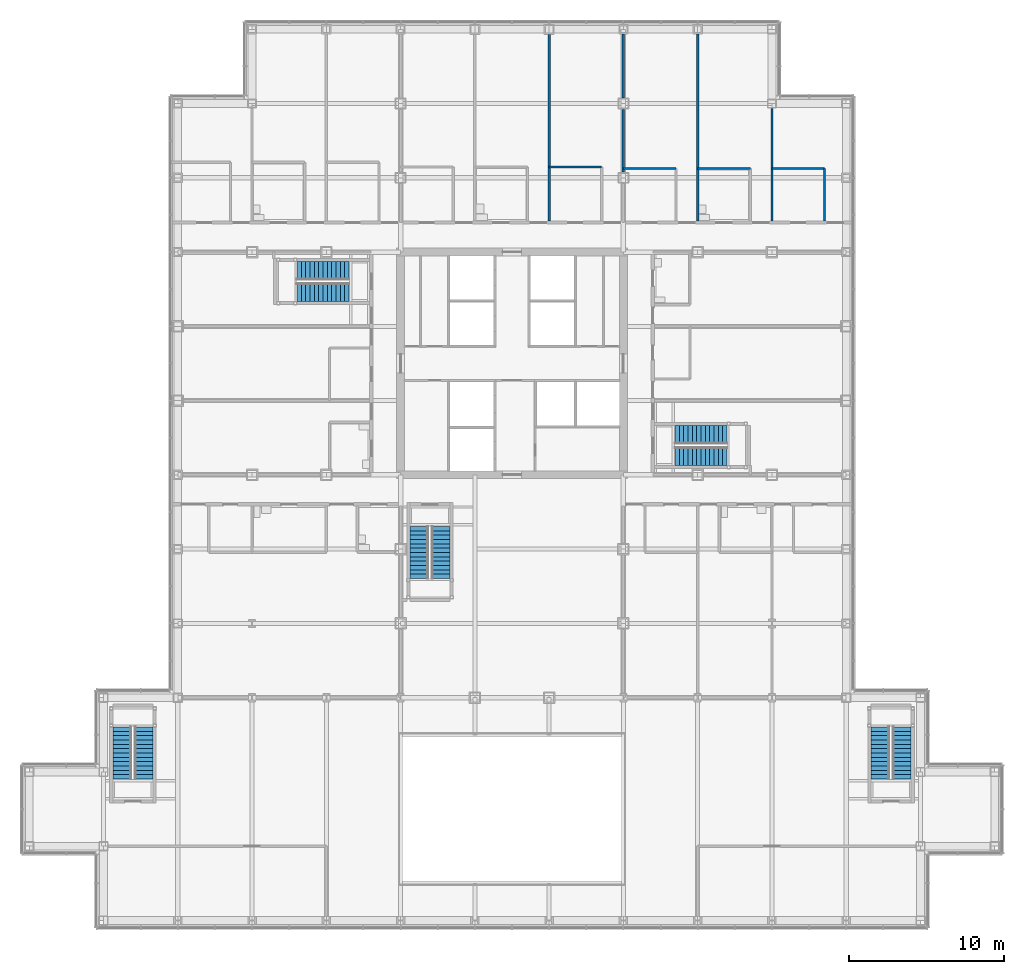
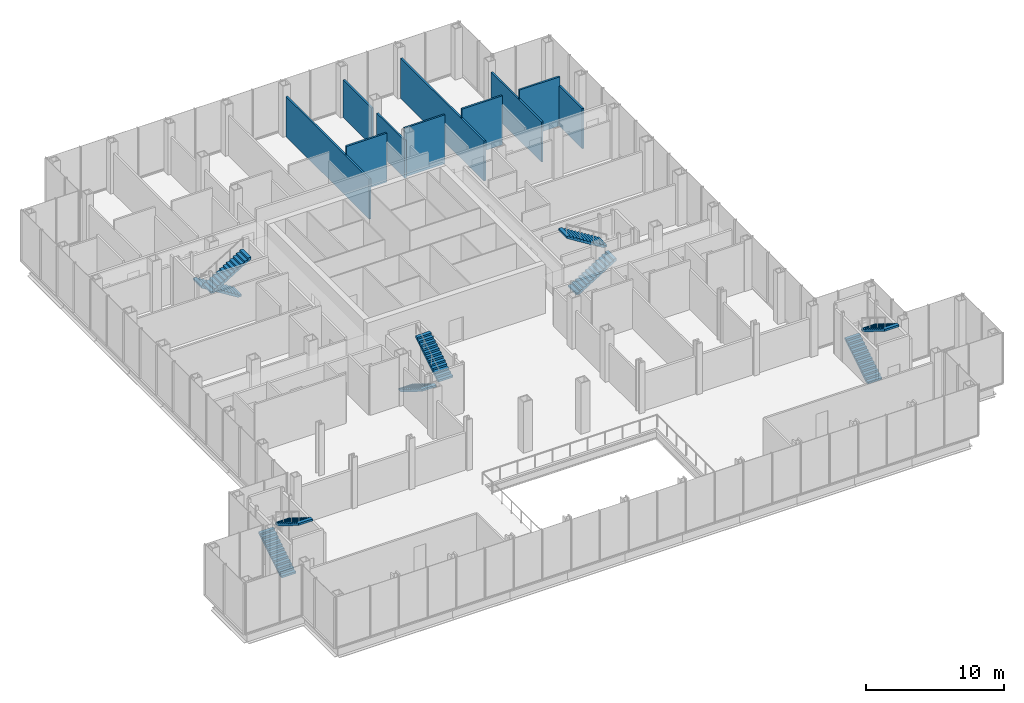
# One storey, part 23 of 25: 10 stair flights, 10 walls, 5 elements without a shape of their own.
"""IFC4 building model written with IfcOpenShell, lengths in metres."""

from ifc_helpers import new_model, si_unit, direction, frame, frame_2d, origin, place, context, subcontext, project, spatial, polyline, rectangle, outline, extrude, material, layer, layer_set, type_object, element, aggregate, save


model = new_model("IFC4")

# Units and contexts
model_context = context("Model", 3, precision=1e-05, world=origin(), true_north=direction((0.0, 1.0)))
body_context = subcontext(model_context, "Body", "Model", "MODEL_VIEW")
ifc_project = project(units=[si_unit("LENGTHUNIT", "METRE"), si_unit("AREAUNIT", "SQUARE_METRE"), si_unit("VOLUMEUNIT", "CUBIC_METRE"), si_unit("PLANEANGLEUNIT", "RADIAN"), si_unit("MASSUNIT", "GRAM", prefix="KILO")], contexts=[model_context])

# Site, building, storey
site_placement = place(None, origin())
site = spatial("IfcSite", under=ifc_project, at=site_placement, CompositionType="ELEMENT")
building_placement = place(site_placement, origin())
building = spatial("IfcBuilding", under=site, at=building_placement, Name="Kvirike Care Tower", CompositionType="ELEMENT")
storey_placement = place(building_placement, frame((0.0, 0.0, 13.5)))
storey = spatial("IfcBuildingStorey", under=building, at=storey_placement, Name="L03", CompositionType="ELEMENT", Elevation=13.5)

# Walls
ifc_material_1 = material(Name="Plasterboard partition", Category="gypsum")
ifc_layer = layer(ifc_material_1, 0.14990234375)
ifc_layer_set = layer_set([ifc_layer], Name="CLINIC PARTITION 150")
wall_type = type_object("IfcWallType", Name="CLINIC PARTITION 150", PredefinedType="PARTITIONING", material=ifc_layer_set)
wall_1_placement = place(storey_placement, frame((27.39990234375, 48.699951171875, 0.0), z_axis=(0.0, 0.0, 1.0), x_axis=(-1.0, 0.0, 0.0)))
element("IfcWall", 1, at=wall_1_placement, inside=storey, type_object=wall_type, Name="Clinic Partition 150 L03", PredefinedType="PARTITIONING", context=body_context, shape_type="SweptSolid", body=[
    extrude(rectangle(XDim=3.39990234375, YDim=0.14990234375, at=frame_2d((1.699951171875, 0.0))), origin(), (0.0, 0.0, 1.0), 4.330078125),
])
wall_2_placement = place(storey_placement, frame((24.0, 57.2548828125, 0.0), z_axis=(0.0, 0.0, 1.0), x_axis=(0.0, -1.0, 0.0)))
element("IfcWall", 2, at=wall_2_placement, inside=storey, type_object=wall_type, Name="Clinic Partition 150 L03", PredefinedType="PARTITIONING", context=body_context, shape_type="SweptSolid", body=[
    extrude(rectangle(XDim=12.054931640625, YDim=0.14990234375, at=frame_2d((6.02734375, 0.0))), origin(), (0.0, 0.0, 1.0), 3.550048828125),
])
wall_3_placement = place(storey_placement, frame((41.800048828125, 48.60009765625, 0.0), z_axis=(0.0, 0.0, 1.0), x_axis=(0.0, -1.0, 0.0)))
element("IfcWall", 3, at=wall_3_placement, inside=storey, type_object=wall_type, Name="Clinic Partition 150 L03", PredefinedType="PARTITIONING", context=body_context, shape_type="SweptSolid", body=[
    extrude(rectangle(XDim=3.400146484375, YDim=0.14990234375, at=frame_2d((1.7001953125, 0.0))), origin(), (0.0, 0.0, 1.0), 3.550048828125),
])
wall_4_placement = place(storey_placement, frame((41.800048828125, 48.60009765625, 0.0), z_axis=(0.0, 0.0, 1.0), x_axis=(-1.0, 0.0, 0.0)))
element("IfcWall", 4, at=wall_4_placement, inside=storey, type_object=wall_type, Name="Clinic Partition 150 L03", PredefinedType="PARTITIONING", context=body_context, shape_type="SweptSolid", body=[
    extrude(rectangle(XDim=3.400146484375, YDim=0.14990234375, at=frame_2d((1.7001953125, 0.0))), origin(), (0.0, 0.0, 1.0), 4.330078125),
])
for number, where, z_axis, x_axis, name in (
    (5, (37.0, 48.60009765625, 0.0), (0.0, 0.0, 1.0), (-1.0, 0.0, 0.0), "Clinic Partition 150 L03"),
    (6, (32.199951171875, 48.60009765625, 0.0), (0.0, 0.0, 1.0), (-1.0, 0.0, 0.0), "Clinic Partition 150 L03"),
):
    element("IfcWall", number, at=place(storey_placement, frame(where, z_axis=z_axis, x_axis=x_axis)), inside=storey, type_object=wall_type, Name=name, PredefinedType="PARTITIONING", context=body_context, shape_type="SweptSolid", body=[
        extrude(rectangle(XDim=3.39990234375, YDim=0.14990234375, at=frame_2d((1.699951171875, 0.0))), origin(), (0.0, 0.0, 1.0), 4.330078125),
    ])
wall_5_placement = place(storey_placement, frame((38.39990234375, 52.47998046875, 0.0), z_axis=(0.0, 0.0, 1.0), x_axis=(0.0, -1.0, 0.0)))
element("IfcWall", 7, at=wall_5_placement, inside=storey, type_object=wall_type, Name="Clinic Partition 150 L03", PredefinedType="PARTITIONING", context=body_context, shape_type="SweptSolid", body=[
    extrude(rectangle(XDim=7.280029296875, YDim=0.14990234375, at=frame_2d((3.64013671875, 0.0))), origin(), (0.0, 0.0, 1.0), 3.550048828125),
])
wall_6_placement = place(storey_placement, frame((33.60009765625, 57.280029296875, 0.0), z_axis=(0.0, 0.0, 1.0), x_axis=(0.0, -1.0, 0.0)))
element("IfcWall", 8, at=wall_6_placement, inside=storey, type_object=wall_type, Name="Clinic Partition 150 L03", PredefinedType="PARTITIONING", context=body_context, shape_type="SweptSolid", body=[
    extrude(rectangle(XDim=12.080078125, YDim=0.14990234375, at=frame_2d((6.0400390625, 0.0))), origin(), (0.0, 0.0, 1.0), 3.550048828125),
])
wall_7_placement = place(storey_placement, frame((28.800048828125, 48.3701171875, 0.0), z_axis=(0.0, 0.0, 1.0), x_axis=(0.0, 1.0, 0.0)))
element("IfcWall", 9, at=wall_7_placement, inside=storey, type_object=wall_type, Name="Clinic Partition 150 L03", PredefinedType="PARTITIONING", context=body_context, shape_type="SweptSolid", body=[
    extrude(rectangle(XDim=4.059814453125, YDim=0.14990234375, at=frame_2d((2.02978515625, 0.0))), origin(), (0.0, 0.0, 1.0), 3.320068359375),
])
wall_8_placement = place(storey_placement, frame((28.800048828125, 53.169921875, 0.0), z_axis=(0.0, 0.0, 1.0), x_axis=(0.0, 1.0, 0.0)))
element("IfcWall", 10, at=wall_8_placement, inside=storey, type_object=wall_type, Name="Clinic Partition 150 L03", PredefinedType="PARTITIONING", context=body_context, shape_type="SweptSolid", body=[
    extrude(rectangle(XDim=4.110107421875, YDim=0.14990234375, at=frame_2d((2.05517578125, 0.0))), origin(), (0.0, 0.0, 1.0), 3.320068359375),
])

# Stair, stair flights
ifc_material_2 = material(Name="Concrete C35/45", Category="concrete")
stair_type = type_object("IfcStairType", Name="STAIR 26 RISERS", PredefinedType="HALF_TURN_STAIR", material=ifc_material_2)
stair_1_placement = place(storey_placement, origin())
stair_1 = element("IfcStair", 11, at=stair_1_placement, inside=storey, type_object=stair_type, Name="Stair 1 L03", PredefinedType="HALF_TURN_STAIR")
ifc_material_3 = material(Name="Concrete C35/45", Category="concrete")
stair_flight_type = type_object("IfcStairFlightType", Name="FLIGHT 13 RISERS", PredefinedType="STRAIGHT", material=ifc_material_3)
stair_flight_1_placement = place(storey_placement, frame((11.06005859375, 42.0, 0.0), z_axis=(0.0, 0.0, 1.0), x_axis=(-1.0, 0.0, 0.0)))
stair_flight_1 = element("IfcStairFlight", 12, at=stair_flight_1_placement, type_object=stair_flight_type, Name="Stair S1 flight 1 L03-L04", NumberOfRisers=13, NumberOfTreads=12, PredefinedType="STRAIGHT", RiserHeight=0.173076923, TreadLength=0.28, context=body_context, shape_type="SweptSolid", body=[
    extrude(outline(polyline([(0.0, 0.0), (0.0, 0.173095703125), (0.280029296875, 0.173095703125), (0.280029296875, 0.34619140625), (0.56005859375, 0.34619140625), (0.56005859375, 0.519287109375), (0.840087890625, 0.519287109375), (0.840087890625, 0.6923828125), (1.1201171875, 0.6923828125), (1.1201171875, 0.865478515625), (1.39990234375, 0.865478515625), (1.39990234375, 1.03857421875), (1.679931640625, 1.03857421875), (1.679931640625, 1.21142578125), (1.9599609375, 1.21142578125), (1.9599609375, 1.384521484375), (2.239990234375, 1.384521484375), (2.239990234375, 1.5576171875), (2.52001953125, 1.5576171875), (2.52001953125, 1.730712890625), (2.800048828125, 1.730712890625), (2.800048828125, 1.90380859375), (3.080078125, 1.90380859375), (3.080078125, 2.076904296875), (3.360107421875, 2.076904296875), (3.360107421875, 2.25), (3.360107421875, 1.900634765625), (0.28515625, 0.0), (0.0, 0.0)])), frame((0.0, 0.60009765625, 0.0), z_axis=(0.0, -1.0, 0.0), x_axis=(1.0, 0.0, 0.0)), (0.0, 0.0, 1.0), 1.199951171875),
])
stair_flight_2_placement = place(storey_placement, frame((7.699951171875, 40.60009765625, 2.25), z_axis=(0.0, 0.0, 1.0), x_axis=(1.0, 0.0, 0.0)))
stair_flight_2 = element("IfcStairFlight", 13, at=stair_flight_2_placement, type_object=stair_flight_type, Name="Stair S1 flight 2 L03-L04", NumberOfRisers=13, NumberOfTreads=12, PredefinedType="STRAIGHT", RiserHeight=0.173076923, TreadLength=0.28, context=body_context, shape_type="SweptSolid", body=[
    extrude(outline(polyline([(0.0, 0.0), (0.0, 0.173095703125), (0.280029296875, 0.173095703125), (0.280029296875, 0.34619140625), (0.56005859375, 0.34619140625), (0.56005859375, 0.519287109375), (0.840087890625, 0.519287109375), (0.840087890625, 0.6923828125), (1.1201171875, 0.6923828125), (1.1201171875, 0.865478515625), (1.39990234375, 0.865478515625), (1.39990234375, 1.03857421875), (1.679931640625, 1.03857421875), (1.679931640625, 1.21142578125), (1.9599609375, 1.21142578125), (1.9599609375, 1.384521484375), (2.239990234375, 1.384521484375), (2.239990234375, 1.5576171875), (2.52001953125, 1.5576171875), (2.52001953125, 1.730712890625), (2.800048828125, 1.730712890625), (2.800048828125, 1.90380859375), (3.080078125, 1.90380859375), (3.080078125, 2.076904296875), (3.360107421875, 2.076904296875), (3.360107421875, 2.25), (3.360107421875, 1.900634765625), (0.28515625, 0.0), (0.0, 0.0)])), frame((0.0, 0.60009765625, 0.0), z_axis=(0.0, -1.0, 0.0), x_axis=(1.0, 0.0, 0.0)), (0.0, 0.0, 1.0), 1.199951171875),
])
aggregate(stair_1, [stair_flight_1, stair_flight_2])

stair_2_placement = place(storey_placement, origin())
stair_2 = element("IfcStair", 14, at=stair_2_placement, inside=storey, type_object=stair_type, Name="Stair 2 L03", PredefinedType="HALF_TURN_STAIR")
stair_flight_3_placement = place(storey_placement, frame((32.139892578125, 30.0, 0.0), z_axis=(0.0, 0.0, 1.0), x_axis=(1.0, 0.0, 0.0)))
stair_flight_3 = element("IfcStairFlight", 15, at=stair_flight_3_placement, type_object=stair_flight_type, Name="Stair S2 flight 1 L03-L04", NumberOfRisers=13, NumberOfTreads=12, PredefinedType="STRAIGHT", RiserHeight=0.173076923, TreadLength=0.28, context=body_context, shape_type="SweptSolid", body=[
    extrude(outline(polyline([(0.0, 0.0), (0.0, 0.173095703125), (0.280029296875, 0.173095703125), (0.280029296875, 0.34619140625), (0.56005859375, 0.34619140625), (0.56005859375, 0.519287109375), (0.840087890625, 0.519287109375), (0.840087890625, 0.6923828125), (1.1201171875, 0.6923828125), (1.1201171875, 0.865478515625), (1.39990234375, 0.865478515625), (1.39990234375, 1.03857421875), (1.679931640625, 1.03857421875), (1.679931640625, 1.21142578125), (1.9599609375, 1.21142578125), (1.9599609375, 1.384521484375), (2.239990234375, 1.384521484375), (2.239990234375, 1.5576171875), (2.52001953125, 1.5576171875), (2.52001953125, 1.730712890625), (2.800048828125, 1.730712890625), (2.800048828125, 1.90380859375), (3.080078125, 1.90380859375), (3.080078125, 2.076904296875), (3.360107421875, 2.076904296875), (3.360107421875, 2.25), (3.360107421875, 1.900634765625), (0.28515625, 0.0), (0.0, 0.0)])), frame((0.0, 0.60009765625, 0.0), z_axis=(0.0, -1.0, 0.0), x_axis=(1.0, 0.0, 0.0)), (0.0, 0.0, 1.0), 1.199951171875),
])
stair_flight_4_placement = place(storey_placement, frame((35.5, 31.39990234375, 2.25), z_axis=(0.0, 0.0, 1.0), x_axis=(-1.0, 0.0, 0.0)))
stair_flight_4 = element("IfcStairFlight", 16, at=stair_flight_4_placement, type_object=stair_flight_type, Name="Stair S2 flight 2 L03-L04", NumberOfRisers=13, NumberOfTreads=12, PredefinedType="STRAIGHT", RiserHeight=0.173076923, TreadLength=0.28, context=body_context, shape_type="SweptSolid", body=[
    extrude(outline(polyline([(0.0, 0.0), (0.0, 0.173095703125), (0.280029296875, 0.173095703125), (0.280029296875, 0.34619140625), (0.56005859375, 0.34619140625), (0.56005859375, 0.519287109375), (0.840087890625, 0.519287109375), (0.840087890625, 0.6923828125), (1.1201171875, 0.6923828125), (1.1201171875, 0.865478515625), (1.39990234375, 0.865478515625), (1.39990234375, 1.03857421875), (1.679931640625, 1.03857421875), (1.679931640625, 1.21142578125), (1.9599609375, 1.21142578125), (1.9599609375, 1.384521484375), (2.239990234375, 1.384521484375), (2.239990234375, 1.5576171875), (2.52001953125, 1.5576171875), (2.52001953125, 1.730712890625), (2.800048828125, 1.730712890625), (2.800048828125, 1.90380859375), (3.080078125, 1.90380859375), (3.080078125, 2.076904296875), (3.360107421875, 2.076904296875), (3.360107421875, 2.25), (3.360107421875, 1.900634765625), (0.28515625, 0.0), (0.0, 0.0)])), frame((0.0, 0.60009765625, 0.0), z_axis=(0.0, -1.0, 0.0), x_axis=(1.0, 0.0, 0.0)), (0.0, 0.0, 1.0), 1.199951171875),
])
aggregate(stair_2, [stair_flight_3, stair_flight_4])

stair_3_placement = place(storey_placement, origin())
stair_3 = element("IfcStair", 17, at=stair_3_placement, inside=storey, type_object=stair_type, Name="Stair 3 L03", PredefinedType="HALF_TURN_STAIR")
stair_flight_5_placement = place(storey_placement, frame((-3.60009765625, 9.139892578125, 0.0), z_axis=(0.0, 0.0, 1.0), x_axis=(0.0, 1.0, 0.0)))
stair_flight_5 = element("IfcStairFlight", 18, at=stair_flight_5_placement, type_object=stair_flight_type, Name="Stair S3 flight 1 L03-L04", NumberOfRisers=13, NumberOfTreads=12, PredefinedType="STRAIGHT", RiserHeight=0.173076923, TreadLength=0.28, context=body_context, shape_type="SweptSolid", body=[
    extrude(outline(polyline([(0.0, 0.0), (0.0, 0.173095703125), (0.280029296875, 0.173095703125), (0.280029296875, 0.34619140625), (0.56005859375, 0.34619140625), (0.56005859375, 0.519287109375), (0.840087890625, 0.519287109375), (0.840087890625, 0.6923828125), (1.1201171875, 0.6923828125), (1.1201171875, 0.865478515625), (1.39990234375, 0.865478515625), (1.39990234375, 1.03857421875), (1.679931640625, 1.03857421875), (1.679931640625, 1.21142578125), (1.9599609375, 1.21142578125), (1.9599609375, 1.384521484375), (2.239990234375, 1.384521484375), (2.239990234375, 1.5576171875), (2.52001953125, 1.5576171875), (2.52001953125, 1.730712890625), (2.800048828125, 1.730712890625), (2.800048828125, 1.90380859375), (3.080078125, 1.90380859375), (3.080078125, 2.076904296875), (3.360107421875, 2.076904296875), (3.360107421875, 2.25), (3.360107421875, 1.900634765625), (0.28515625, 0.0), (0.0, 0.0)])), frame((0.0, 0.60009765625, 0.0), z_axis=(0.0, -1.0, 0.0), x_axis=(1.0, 0.0, 0.0)), (0.0, 0.0, 1.0), 1.199951171875),
])
stair_flight_6_placement = place(storey_placement, frame((-2.199951171875, 12.5, 2.25), z_axis=(0.0, 0.0, 1.0), x_axis=(0.0, -1.0, 0.0)))
stair_flight_6 = element("IfcStairFlight", 19, at=stair_flight_6_placement, type_object=stair_flight_type, Name="Stair S3 flight 2 L03-L04", NumberOfRisers=13, NumberOfTreads=12, PredefinedType="STRAIGHT", RiserHeight=0.173076923, TreadLength=0.28, context=body_context, shape_type="SweptSolid", body=[
    extrude(outline(polyline([(0.0, 0.0), (0.0, 0.173095703125), (0.280029296875, 0.173095703125), (0.280029296875, 0.34619140625), (0.56005859375, 0.34619140625), (0.56005859375, 0.519287109375), (0.840087890625, 0.519287109375), (0.840087890625, 0.6923828125), (1.1201171875, 0.6923828125), (1.1201171875, 0.865478515625), (1.39990234375, 0.865478515625), (1.39990234375, 1.03857421875), (1.679931640625, 1.03857421875), (1.679931640625, 1.21142578125), (1.9599609375, 1.21142578125), (1.9599609375, 1.384521484375), (2.239990234375, 1.384521484375), (2.239990234375, 1.5576171875), (2.52001953125, 1.5576171875), (2.52001953125, 1.730712890625), (2.800048828125, 1.730712890625), (2.800048828125, 1.90380859375), (3.080078125, 1.90380859375), (3.080078125, 2.076904296875), (3.360107421875, 2.076904296875), (3.360107421875, 2.25), (3.360107421875, 1.900634765625), (0.28515625, 0.0), (0.0, 0.0)])), frame((0.0, 0.60009765625, 0.0), z_axis=(0.0, -1.0, 0.0), x_axis=(1.0, 0.0, 0.0)), (0.0, 0.0, 1.0), 1.199951171875),
])
aggregate(stair_3, [stair_flight_5, stair_flight_6])

stair_4_placement = place(storey_placement, origin())
stair_4 = element("IfcStair", 20, at=stair_4_placement, inside=storey, type_object=stair_type, Name="Stair 4 L03", PredefinedType="HALF_TURN_STAIR")
stair_flight_7_placement = place(storey_placement, frame((45.39990234375, 9.139892578125, 0.0), z_axis=(0.0, 0.0, 1.0), x_axis=(0.0, 1.0, 0.0)))
stair_flight_7 = element("IfcStairFlight", 21, at=stair_flight_7_placement, type_object=stair_flight_type, Name="Stair S4 flight 1 L03-L04", NumberOfRisers=13, NumberOfTreads=12, PredefinedType="STRAIGHT", RiserHeight=0.173076923, TreadLength=0.28, context=body_context, shape_type="SweptSolid", body=[
    extrude(outline(polyline([(0.0, 0.0), (0.0, 0.173095703125), (0.280029296875, 0.173095703125), (0.280029296875, 0.34619140625), (0.56005859375, 0.34619140625), (0.56005859375, 0.519287109375), (0.840087890625, 0.519287109375), (0.840087890625, 0.6923828125), (1.1201171875, 0.6923828125), (1.1201171875, 0.865478515625), (1.39990234375, 0.865478515625), (1.39990234375, 1.03857421875), (1.679931640625, 1.03857421875), (1.679931640625, 1.21142578125), (1.9599609375, 1.21142578125), (1.9599609375, 1.384521484375), (2.239990234375, 1.384521484375), (2.239990234375, 1.5576171875), (2.52001953125, 1.5576171875), (2.52001953125, 1.730712890625), (2.800048828125, 1.730712890625), (2.800048828125, 1.90380859375), (3.080078125, 1.90380859375), (3.080078125, 2.076904296875), (3.360107421875, 2.076904296875), (3.360107421875, 2.25), (3.360107421875, 1.900634765625), (0.28515625, 0.0), (0.0, 0.0)])), frame((0.0, 0.60009765625, 0.0), z_axis=(0.0, -1.0, 0.0), x_axis=(1.0, 0.0, 0.0)), (0.0, 0.0, 1.0), 1.199951171875),
])
stair_flight_8_placement = place(storey_placement, frame((46.800048828125, 12.5, 2.25), z_axis=(0.0, 0.0, 1.0), x_axis=(0.0, -1.0, 0.0)))
stair_flight_8 = element("IfcStairFlight", 22, at=stair_flight_8_placement, type_object=stair_flight_type, Name="Stair S4 flight 2 L03-L04", NumberOfRisers=13, NumberOfTreads=12, PredefinedType="STRAIGHT", RiserHeight=0.173076923, TreadLength=0.28, context=body_context, shape_type="SweptSolid", body=[
    extrude(outline(polyline([(0.0, 0.0), (0.0, 0.173095703125), (0.280029296875, 0.173095703125), (0.280029296875, 0.34619140625), (0.56005859375, 0.34619140625), (0.56005859375, 0.519287109375), (0.840087890625, 0.519287109375), (0.840087890625, 0.6923828125), (1.1201171875, 0.6923828125), (1.1201171875, 0.865478515625), (1.39990234375, 0.865478515625), (1.39990234375, 1.03857421875), (1.679931640625, 1.03857421875), (1.679931640625, 1.21142578125), (1.9599609375, 1.21142578125), (1.9599609375, 1.384521484375), (2.239990234375, 1.384521484375), (2.239990234375, 1.5576171875), (2.52001953125, 1.5576171875), (2.52001953125, 1.730712890625), (2.800048828125, 1.730712890625), (2.800048828125, 1.90380859375), (3.080078125, 1.90380859375), (3.080078125, 2.076904296875), (3.360107421875, 2.076904296875), (3.360107421875, 2.25), (3.360107421875, 1.900634765625), (0.28515625, 0.0), (0.0, 0.0)])), frame((0.0, 0.60009765625, 0.0), z_axis=(0.0, -1.0, 0.0), x_axis=(1.0, 0.0, 0.0)), (0.0, 0.0, 1.0), 1.199951171875),
])
aggregate(stair_4, [stair_flight_7, stair_flight_8])

stair_5_placement = place(storey_placement, origin())
stair_5 = element("IfcStair", 23, at=stair_5_placement, inside=storey, type_object=stair_type, Name="Stair 5 L03", PredefinedType="HALF_TURN_STAIR")
stair_flight_9_placement = place(storey_placement, frame((15.60009765625, 25.4599609375, 0.0), z_axis=(0.0, 0.0, 1.0), x_axis=(0.0, -1.0, 0.0)))
stair_flight_9 = element("IfcStairFlight", 24, at=stair_flight_9_placement, type_object=stair_flight_type, Name="Stair S5 flight 1 L03-L04", NumberOfRisers=13, NumberOfTreads=12, PredefinedType="STRAIGHT", RiserHeight=0.173076923, TreadLength=0.28, context=body_context, shape_type="SweptSolid", body=[
    extrude(outline(polyline([(0.0, 0.0), (0.0, 0.173095703125), (0.280029296875, 0.173095703125), (0.280029296875, 0.34619140625), (0.56005859375, 0.34619140625), (0.56005859375, 0.519287109375), (0.840087890625, 0.519287109375), (0.840087890625, 0.6923828125), (1.1201171875, 0.6923828125), (1.1201171875, 0.865478515625), (1.39990234375, 0.865478515625), (1.39990234375, 1.03857421875), (1.679931640625, 1.03857421875), (1.679931640625, 1.21142578125), (1.9599609375, 1.21142578125), (1.9599609375, 1.384521484375), (2.239990234375, 1.384521484375), (2.239990234375, 1.5576171875), (2.52001953125, 1.5576171875), (2.52001953125, 1.730712890625), (2.800048828125, 1.730712890625), (2.800048828125, 1.90380859375), (3.080078125, 1.90380859375), (3.080078125, 2.076904296875), (3.360107421875, 2.076904296875), (3.360107421875, 2.25), (3.360107421875, 1.900634765625), (0.28515625, 0.0), (0.0, 0.0)])), frame((0.0, 0.60009765625, 0.0), z_axis=(0.0, -1.0, 0.0), x_axis=(1.0, 0.0, 0.0)), (0.0, 0.0, 1.0), 1.199951171875),
])
stair_flight_10_placement = place(storey_placement, frame((17.0, 22.10009765625, 2.25), z_axis=(0.0, 0.0, 1.0), x_axis=(0.0, 1.0, 0.0)))
stair_flight_10 = element("IfcStairFlight", 25, at=stair_flight_10_placement, type_object=stair_flight_type, Name="Stair S5 flight 2 L03-L04", NumberOfRisers=13, NumberOfTreads=12, PredefinedType="STRAIGHT", RiserHeight=0.173076923, TreadLength=0.28, context=body_context, shape_type="SweptSolid", body=[
    extrude(outline(polyline([(0.0, 0.0), (0.0, 0.173095703125), (0.280029296875, 0.173095703125), (0.280029296875, 0.34619140625), (0.56005859375, 0.34619140625), (0.56005859375, 0.519287109375), (0.840087890625, 0.519287109375), (0.840087890625, 0.6923828125), (1.1201171875, 0.6923828125), (1.1201171875, 0.865478515625), (1.39990234375, 0.865478515625), (1.39990234375, 1.03857421875), (1.679931640625, 1.03857421875), (1.679931640625, 1.21142578125), (1.9599609375, 1.21142578125), (1.9599609375, 1.384521484375), (2.239990234375, 1.384521484375), (2.239990234375, 1.5576171875), (2.52001953125, 1.5576171875), (2.52001953125, 1.730712890625), (2.800048828125, 1.730712890625), (2.800048828125, 1.90380859375), (3.080078125, 1.90380859375), (3.080078125, 2.076904296875), (3.360107421875, 2.076904296875), (3.360107421875, 2.25), (3.360107421875, 1.900634765625), (0.28515625, 0.0), (0.0, 0.0)])), frame((0.0, 0.60009765625, 0.0), z_axis=(0.0, -1.0, 0.0), x_axis=(1.0, 0.0, 0.0)), (0.0, 0.0, 1.0), 1.199951171875),
])
aggregate(stair_5, [stair_flight_9, stair_flight_10])

save(model, "model.ifc")
